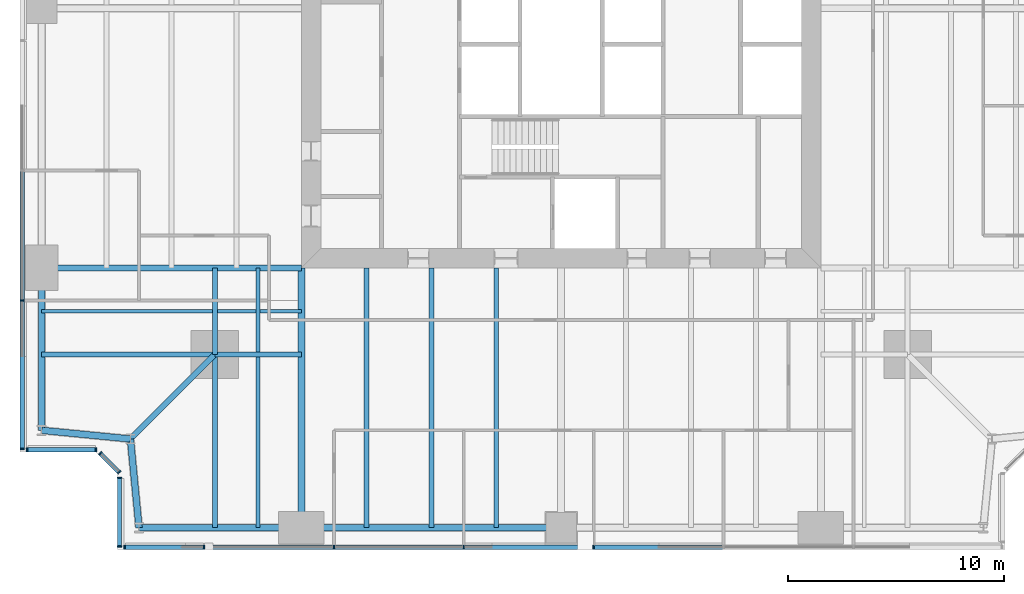
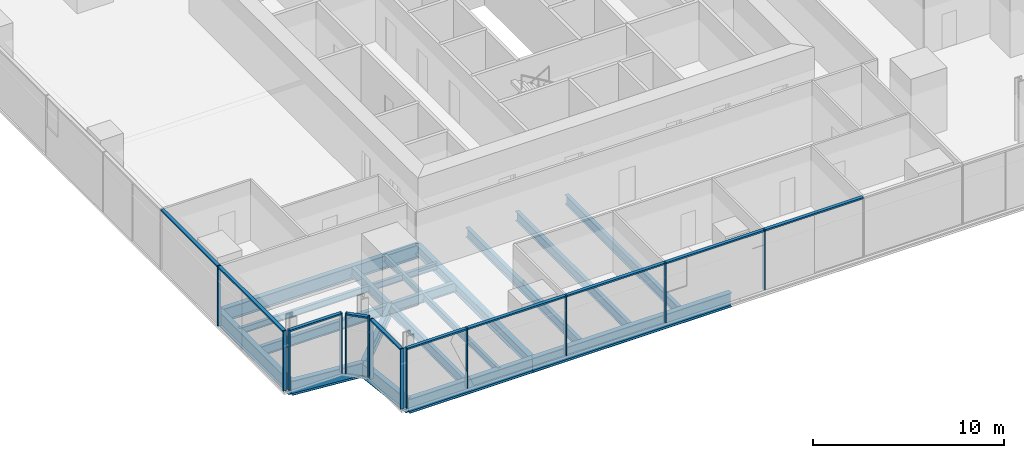
# One storey, part 2 of 13: 23 members, 20 beams, 5 elements without a shape of their own.
"""IFC4 building model written with IfcOpenShell, lengths in metres."""

from ifc_helpers import new_model, si_unit, direction, frame, origin, origin_2d, place, context, subcontext, project, spatial, rectangle, i_section, extrude, material, material_profile, profile_set, type_object, element, aggregate, save


model = new_model("IFC4")

# Units and contexts
model_context = context("Model", 3, precision=1e-05, world=origin(), true_north=direction((0.0, 1.0)))
body_context = subcontext(model_context, "Body", "Model", "MODEL_VIEW")
ifc_project = project(units=[si_unit("LENGTHUNIT", "METRE"), si_unit("AREAUNIT", "SQUARE_METRE"), si_unit("VOLUMEUNIT", "CUBIC_METRE"), si_unit("PLANEANGLEUNIT", "RADIAN"), si_unit("MASSUNIT", "GRAM", prefix="KILO")], contexts=[model_context])

# Site, building, storey
site_placement = place(None, origin())
site = spatial("IfcSite", under=ifc_project, at=site_placement, CompositionType="ELEMENT")
building_placement = place(site_placement, origin())
building = spatial("IfcBuilding", under=site, at=building_placement, Name="Fenwick Lantern Interchange", CompositionType="ELEMENT")
storey_placement = place(building_placement, frame((0.0, 0.0, 110.39990234375)))
storey = spatial("IfcBuildingStorey", under=building, at=storey_placement, Name="L25", CompositionType="ELEMENT", Elevation=110.39990234375)

# Beams
ifc_material_1 = material(Name="Steel ASTM A992 Grade 50", Category="steel")
ifc_material_profile_1 = material_profile(ifc_material_1, i_section(OverallWidth=0.3046875, OverallDepth=0.911865234375, WebThickness=0.015869140625, FlangeThickness=0.02392578125, at=origin_2d()), Name="W36X150")
ifc_profile_set_1 = profile_set([ifc_material_profile_1], Name="Steel ASTM A992 Grade 50")
beam_type_1 = type_object("IfcBeamType", Name="EDGE BEAM W36X150", PredefinedType="SPANDREL", material=ifc_profile_set_1)
beam_1_placement = place(storey_placement, frame((5.5, 1.0, -0.605712890625), z_axis=(1.0, 0.0, 0.0), x_axis=(0.0, 1.0, 0.0)))
element("IfcBeam", 1, at=beam_1_placement, inside=storey, type_object=beam_type_1, Name="L25/FR/S/EB1", PredefinedType="SPANDREL", context=body_context, shape_type="SweptSolid", body=[
    extrude(i_section(OverallWidth=0.3046875, OverallDepth=0.911865234375, WebThickness=0.015869140625, FlangeThickness=0.02392578125, at=origin_2d()), origin(), (0.0, 0.0, 1.0), 7.5),
])
beam_2_placement = place(storey_placement, frame((13.0, 1.0, -0.605712890625), z_axis=(1.0, 0.0, 0.0), x_axis=(0.0, 1.0, 0.0)))
element("IfcBeam", 2, at=beam_2_placement, inside=storey, type_object=beam_type_1, Name="L25/FR/S/EB2", PredefinedType="SPANDREL", context=body_context, shape_type="SweptSolid", body=[
    extrude(i_section(OverallWidth=0.3046875, OverallDepth=0.911865234375, WebThickness=0.015869140625, FlangeThickness=0.02392578125, at=origin_2d()), origin(), (0.0, 0.0, 1.0), 12.0),
])
beam_3_placement = place(storey_placement, frame((1.0, 13.0, -0.605712890625), z_axis=(0.0, -1.0, 0.0), x_axis=(1.0, 0.0, 0.0)))
element("IfcBeam", 3, at=beam_3_placement, inside=storey, type_object=beam_type_1, Name="L25/FR/W/EB4", PredefinedType="SPANDREL", context=body_context, shape_type="SweptSolid", body=[
    extrude(i_section(OverallWidth=0.3046875, OverallDepth=0.911865234375, WebThickness=0.015869140625, FlangeThickness=0.02392578125, at=origin_2d()), origin(), (0.0, 0.0, 1.0), 7.5),
])
for number, where, z_axis, x_axis, name in (
    (4, (1.0, 5.5, -0.605712890625), (0.995277148028, -0.097074191287, 0.0), (0.097074191287, 0.995277148028, 0.0), "L25/FR/W/EBR1"),
    (5, (5.10009765625, 5.10009765625, -0.605712890625), (0.097074191287, -0.995277148028, 0.0), (0.995277148028, 0.097074191287, 0.0), "L25/FR/W/EBR2"),
):
    element("IfcBeam", number, at=place(storey_placement, frame(where, z_axis=z_axis, x_axis=x_axis)), inside=storey, type_object=beam_type_1, Name=name, PredefinedType="SPANDREL", context=body_context, shape_type="SweptSolid", body=[
        extrude(i_section(OverallWidth=0.3046875, OverallDepth=0.911865234375, WebThickness=0.015869140625, FlangeThickness=0.02392578125, at=origin_2d()), origin(), (0.0, 0.0, 1.0), 4.11962890625),
    ])
ifc_material_profile_2 = material_profile(ifc_material_1, i_section(OverallWidth=0.22900390625, OverallDepth=0.612060546875, WebThickness=0.011962890625, FlangeThickness=0.01953125, at=origin_2d()), Name="W24X84")
ifc_profile_set_2 = profile_set([ifc_material_profile_2], Name="Steel ASTM A992 Grade 50")
beam_type_2 = type_object("IfcBeamType", Name="FLOOR BEAM W24X84", PredefinedType="BEAM", material=ifc_profile_set_2)
for number, where, z_axis, x_axis, name in (
    (6, (16.0, 1.0, -0.4560546875), (0.0, 1.0, 0.0), (-1.0, 0.0, 0.0), "L25/FR/S/R02"),
    (7, (19.0, 1.0, -0.4560546875), (0.0, 1.0, 0.0), (-1.0, 0.0, 0.0), "L25/FR/S/R03"),
    (8, (22.0, 1.0, -0.4560546875), (0.0, 1.0, 0.0), (-1.0, 0.0, 0.0), "L25/FR/S/R04"),
):
    element("IfcBeam", number, at=place(storey_placement, frame(where, z_axis=z_axis, x_axis=x_axis)), inside=storey, type_object=beam_type_2, Name=name, PredefinedType="BEAM", context=body_context, shape_type="SweptSolid", body=[
        extrude(i_section(OverallWidth=0.22900390625, OverallDepth=0.612060546875, WebThickness=0.011962890625, FlangeThickness=0.01953125, at=origin_2d()), origin(), (0.0, 0.0, 1.0), 12.0),
    ])
ifc_material_profile_3 = material_profile(ifc_material_1, i_section(OverallWidth=0.177734375, OverallDepth=0.406494140625, WebThickness=0.0078125, FlangeThickness=0.012939453125, at=origin_2d()), Name="W16X40")
ifc_profile_set_3 = profile_set([ifc_material_profile_3], Name="Steel ASTM A992 Grade 50")
beam_type_3 = type_object("IfcBeamType", Name="INFILL BEAM W16X40", PredefinedType="JOIST", material=ifc_profile_set_3)
beam_4_placement = place(storey_placement, frame((11.0, 1.0, -0.35302734375), z_axis=(0.0, 1.0, 0.0), x_axis=(-1.0, 0.0, 0.0)))
element("IfcBeam", 9, at=beam_4_placement, inside=storey, type_object=beam_type_3, Name="L25/FR/S/J1", PredefinedType="JOIST", context=body_context, shape_type="SweptSolid", body=[
    extrude(i_section(OverallWidth=0.177734375, OverallDepth=0.406494140625, WebThickness=0.0078125, FlangeThickness=0.012939453125, at=origin_2d()), origin(), (0.0, 0.0, 1.0), 7.885498046875),
])
beam_5_placement = place(storey_placement, frame((11.0, 9.114501953125, -0.35302734375), z_axis=(0.0, 1.0, 0.0), x_axis=(-1.0, 0.0, 0.0)))
element("IfcBeam", 10, at=beam_5_placement, inside=storey, type_object=beam_type_3, Name="L25/FR/S/J2", PredefinedType="JOIST", context=body_context, shape_type="SweptSolid", body=[
    extrude(i_section(OverallWidth=0.177734375, OverallDepth=0.406494140625, WebThickness=0.0078125, FlangeThickness=0.012939453125, at=origin_2d()), origin(), (0.0, 0.0, 1.0), 3.885498046875),
])
beam_6_placement = place(storey_placement, frame((1.0, 11.0, -0.35302734375), z_axis=(1.0, 0.0, 0.0), x_axis=(0.0, 1.0, 0.0)))
element("IfcBeam", 11, at=beam_6_placement, inside=storey, type_object=beam_type_3, Name="L25/FR/S/J3", PredefinedType="JOIST", context=body_context, shape_type="SweptSolid", body=[
    extrude(i_section(OverallWidth=0.177734375, OverallDepth=0.406494140625, WebThickness=0.0078125, FlangeThickness=0.012939453125, at=origin_2d()), origin(), (0.0, 0.0, 1.0), 7.885498046875),
])
beam_7_placement = place(storey_placement, frame((9.114501953125, 11.0, -0.35302734375), z_axis=(1.0, 0.0, 0.0), x_axis=(0.0, 1.0, 0.0)))
element("IfcBeam", 12, at=beam_7_placement, inside=storey, type_object=beam_type_3, Name="L25/FR/S/J4", PredefinedType="JOIST", context=body_context, shape_type="SweptSolid", body=[
    extrude(i_section(OverallWidth=0.177734375, OverallDepth=0.406494140625, WebThickness=0.0078125, FlangeThickness=0.012939453125, at=origin_2d()), origin(), (0.0, 0.0, 1.0), 1.796630859375),
])
beam_8_placement = place(storey_placement, frame((11.0888671875, 11.0, -0.35302734375), z_axis=(1.0, 0.0, 0.0), x_axis=(0.0, 1.0, 0.0)))
element("IfcBeam", 13, at=beam_8_placement, inside=storey, type_object=beam_type_3, Name="L25/FR/S/J5", PredefinedType="JOIST", context=body_context, shape_type="SweptSolid", body=[
    extrude(i_section(OverallWidth=0.177734375, OverallDepth=0.406494140625, WebThickness=0.0078125, FlangeThickness=0.012939453125, at=origin_2d()), origin(), (0.0, 0.0, 1.0), 1.9111328125),
])
ifc_material_profile_4 = material_profile(ifc_material_1, i_section(OverallWidth=0.22900390625, OverallDepth=0.612060546875, WebThickness=0.011962890625, FlangeThickness=0.01953125, at=origin_2d()), Name="W24X84")
ifc_profile_set_4 = profile_set([ifc_material_profile_4], Name="Steel ASTM A992 Grade 50")
beam_type_4 = type_object("IfcBeamType", Name="MEGA COLUMN BEAM W24X84", PredefinedType="BEAM", material=ifc_profile_set_4)
for number, where, z_axis, x_axis, name in (
    (14, (9.0, 9.0, -0.4560546875), (0.0, -1.0, 0.0), (1.0, 0.0, 0.0), "L25/FR/S/MB1"),
    (15, (9.0, 9.0, -0.4560546875), (-1.0, 0.0, 0.0), (0.0, -1.0, 0.0), "L25/FR/S/MB2"),
):
    element("IfcBeam", number, at=place(storey_placement, frame(where, z_axis=z_axis, x_axis=x_axis)), inside=storey, type_object=beam_type_4, Name=name, PredefinedType="BEAM", context=body_context, shape_type="SweptSolid", body=[
        extrude(i_section(OverallWidth=0.22900390625, OverallDepth=0.612060546875, WebThickness=0.011962890625, FlangeThickness=0.01953125, at=origin_2d()), origin(), (0.0, 0.0, 1.0), 8.0),
    ])
for number, where, z_axis, x_axis, name in (
    (16, (9.0, 9.0, -0.4560546875), (1.0, 0.0, 0.0), (0.0, 1.0, 0.0), "L25/FR/S/MB3"),
    (17, (9.0, 9.0, -0.4560546875), (0.0, 1.0, 0.0), (-1.0, 0.0, 0.0), "L25/FR/S/MB4"),
):
    element("IfcBeam", number, at=place(storey_placement, frame(where, z_axis=z_axis, x_axis=x_axis)), inside=storey, type_object=beam_type_4, Name=name, PredefinedType="BEAM", context=body_context, shape_type="SweptSolid", body=[
        extrude(i_section(OverallWidth=0.22900390625, OverallDepth=0.612060546875, WebThickness=0.011962890625, FlangeThickness=0.01953125, at=origin_2d()), origin(), (0.0, 0.0, 1.0), 4.0),
    ])
ifc_material_profile_5 = material_profile(ifc_material_1, i_section(OverallWidth=0.32763671875, OverallDepth=0.622314453125, WebThickness=0.015380859375, FlangeThickness=0.0244140625, at=origin_2d()), Name="W24X131")
ifc_profile_set_5 = profile_set([ifc_material_profile_5], Name="Steel ASTM A992 Grade 50")
beam_type_5 = type_object("IfcBeamType", Name="MOMENT-CONNECTED GIRDER W24X131", PredefinedType="BEAM", material=ifc_profile_set_5)
beam_9_placement = place(storey_placement, frame((13.0, 1.0, -0.4609375), z_axis=(0.0, 1.0, 0.0), x_axis=(-1.0, 0.0, 0.0)))
element("IfcBeam", 18, at=beam_9_placement, inside=storey, type_object=beam_type_5, Name="L25/FR/S/R01", PredefinedType="BEAM", context=body_context, shape_type="SweptSolid", body=[
    extrude(i_section(OverallWidth=0.32763671875, OverallDepth=0.622314453125, WebThickness=0.015380859375, FlangeThickness=0.0244140625, at=origin_2d()), origin(), (0.0, 0.0, 1.0), 12.0),
])
ifc_material_profile_6 = material_profile(ifc_material_1, i_section(OverallWidth=0.2919921875, OverallDepth=0.845703125, WebThickness=0.015380859375, FlangeThickness=0.0244140625, at=origin_2d()), Name="W33X141")
ifc_profile_set_6 = profile_set([ifc_material_profile_6], Name="Steel ASTM A992 Grade 50")
beam_type_6 = type_object("IfcBeamType", Name="MOMENT-CONNECTED GIRDER W33X141", PredefinedType="BEAM", material=ifc_profile_set_6)
beam_10_placement = place(storey_placement, frame((1.0, 13.0, -0.57275390625), z_axis=(1.0, 0.0, 0.0), x_axis=(0.0, 1.0, 0.0)))
element("IfcBeam", 19, at=beam_10_placement, inside=storey, type_object=beam_type_6, Name="L25/FR/W/R03", PredefinedType="BEAM", context=body_context, shape_type="SweptSolid", body=[
    extrude(i_section(OverallWidth=0.2919921875, OverallDepth=0.845703125, WebThickness=0.015380859375, FlangeThickness=0.0244140625, at=origin_2d()), origin(), (0.0, 0.0, 1.0), 12.0),
])
ifc_material_profile_7 = material_profile(ifc_material_1, i_section(OverallWidth=0.2666015625, OverallDepth=0.7568359375, WebThickness=0.013916015625, FlangeThickness=0.019287109375, at=origin_2d()), Name="W30X108")
ifc_profile_set_7 = profile_set([ifc_material_profile_7], Name="Steel ASTM A992 Grade 50")
beam_type_7 = type_object("IfcBeamType", Name="NOTCH BEAM W30X108", PredefinedType="BEAM", material=ifc_profile_set_7)
beam_11_placement = place(storey_placement, frame((9.0, 9.0, -0.5283203125), z_axis=(-0.707106781187, -0.707106781187, 0.0), x_axis=(0.707106781187, -0.707106781187, 0.0)))
element("IfcBeam", 20, at=beam_11_placement, inside=storey, type_object=beam_type_7, Name="L25/FR/S/TG", PredefinedType="BEAM", context=body_context, shape_type="SweptSolid", body=[
    extrude(i_section(OverallWidth=0.2666015625, OverallDepth=0.7568359375, WebThickness=0.013916015625, FlangeThickness=0.019287109375, at=origin_2d()), origin(), (0.0, 0.0, 1.0), 5.515380859375),
])

# Curtain wall, members
ifc_material_2 = material(Name="Aluminium curtain wall frame", Category="aluminium")
curtain_wall_type = type_object("IfcCurtainWallType", Name="OFFICE CURTAIN WALL", PredefinedType="USERDEFINED", material=ifc_material_2)
curtain_wall_1_placement = place(storey_placement, origin())
curtain_wall_1 = element("IfcCurtainWall", 21, at=curtain_wall_1_placement, inside=storey, type_object=curtain_wall_type, Name="Office curtain wall 01", ObjectType="OFFICE CURTAIN WALL", PredefinedType="USERDEFINED")
ifc_material_3 = material(Name="Aluminium extrusion", Category="aluminium")
ifc_material_profile_8 = material_profile(ifc_material_3, rectangle(XDim=0.199951171875, YDim=0.06494140625, at=origin_2d()), Name="OFFICE CURTAIN WALL MULLION 65 X 200")
ifc_profile_set_8 = profile_set([ifc_material_profile_8], Name="Aluminium extrusion")
member_type_1 = type_object("IfcMemberType", Name="OFFICE CURTAIN WALL MULLION 65 X 200", PredefinedType="MULLION", material=ifc_profile_set_8)
member_1_placement = place(storey_placement, frame((4.83251953125, 0.10009765625, 0.0), z_axis=(0.0, 0.0, 1.0), x_axis=(0.0, 1.0, 0.0)))
member_1 = element("IfcMember", 22, at=member_1_placement, type_object=member_type_1, Name="L25/CW/01/M00", PredefinedType="MULLION", context=body_context, shape_type="SweptSolid", body=[
    extrude(rectangle(XDim=0.199951171875, YDim=0.06494140625, at=origin_2d()), origin(), (0.0, 0.0, 1.0), 3.85009765625),
])
member_2_placement = place(storey_placement, frame((8.5, 0.10009765625, 0.0), z_axis=(0.0, 0.0, 1.0), x_axis=(0.0, 1.0, 0.0)))
member_2 = element("IfcMember", 23, at=member_2_placement, type_object=member_type_1, Name="L25/CW/01/M01", PredefinedType="MULLION", context=body_context, shape_type="SweptSolid", body=[
    extrude(rectangle(XDim=0.199951171875, YDim=0.06494140625, at=origin_2d()), origin(), (0.0, 0.0, 1.0), 3.85009765625),
])
member_3_placement = place(storey_placement, frame((14.5, 0.10009765625, 0.0), z_axis=(0.0, 0.0, 1.0), x_axis=(0.0, 1.0, 0.0)))
member_3 = element("IfcMember", 24, at=member_3_placement, type_object=member_type_1, Name="L25/CW/01/M02", PredefinedType="MULLION", context=body_context, shape_type="SweptSolid", body=[
    extrude(rectangle(XDim=0.199951171875, YDim=0.06494140625, at=origin_2d()), origin(), (0.0, 0.0, 1.0), 3.85009765625),
])
member_4_placement = place(storey_placement, frame((20.5, 0.10009765625, 0.0), z_axis=(0.0, 0.0, 1.0), x_axis=(0.0, 1.0, 0.0)))
member_4 = element("IfcMember", 25, at=member_4_placement, type_object=member_type_1, Name="L25/CW/01/M03", PredefinedType="MULLION", context=body_context, shape_type="SweptSolid", body=[
    extrude(rectangle(XDim=0.199951171875, YDim=0.06494140625, at=origin_2d()), origin(), (0.0, 0.0, 1.0), 3.85009765625),
])
member_5_placement = place(storey_placement, frame((26.5, 0.10009765625, 0.0), z_axis=(0.0, 0.0, 1.0), x_axis=(0.0, 1.0, 0.0)))
member_5 = element("IfcMember", 26, at=member_5_placement, type_object=member_type_1, Name="L25/CW/01/M04", PredefinedType="MULLION", context=body_context, shape_type="SweptSolid", body=[
    extrude(rectangle(XDim=0.199951171875, YDim=0.06494140625, at=origin_2d()), origin(), (0.0, 0.0, 1.0), 3.85009765625),
])

curtain_wall_2_placement = place(storey_placement, origin())
curtain_wall_2 = element("IfcCurtainWall", 27, at=curtain_wall_2_placement, inside=storey, type_object=curtain_wall_type, Name="Office curtain wall 13", ObjectType="OFFICE CURTAIN WALL", PredefinedType="USERDEFINED")
member_6_placement = place(storey_placement, frame((0.10009765625, 11.5, 0.0), z_axis=(0.0, 0.0, 1.0), x_axis=(1.0, 0.0, 0.0)))
member_6 = element("IfcMember", 28, at=member_6_placement, type_object=member_type_1, Name="L25/CW/13/M06", PredefinedType="MULLION", context=body_context, shape_type="SweptSolid", body=[
    extrude(rectangle(XDim=0.199951171875, YDim=0.06494140625, at=origin_2d()), origin(), (0.0, 0.0, 1.0), 3.85009765625),
])
member_7_placement = place(storey_placement, frame((0.10009765625, 4.632568359375, 0.0), z_axis=(0.0, 0.0, 1.0), x_axis=(1.0, 0.0, 0.0)))
member_7 = element("IfcMember", 29, at=member_7_placement, type_object=member_type_1, Name="L25/CW/13/M07", PredefinedType="MULLION", context=body_context, shape_type="SweptSolid", body=[
    extrude(rectangle(XDim=0.199951171875, YDim=0.06494140625, at=origin_2d()), origin(), (0.0, 0.0, 1.0), 3.85009765625),
])

curtain_wall_3_placement = place(storey_placement, origin())
curtain_wall_3 = element("IfcCurtainWall", 30, at=curtain_wall_3_placement, inside=storey, type_object=curtain_wall_type, Name="Office curtain wall 14", ObjectType="OFFICE CURTAIN WALL", PredefinedType="USERDEFINED")
member_8_placement = place(storey_placement, frame((0.33251953125, 4.60009765625, 0.0), z_axis=(0.0, 0.0, 1.0), x_axis=(0.0, 1.0, 0.0)))
member_8 = element("IfcMember", 31, at=member_8_placement, type_object=member_type_1, Name="L25/CW/14/M00", PredefinedType="MULLION", context=body_context, shape_type="SweptSolid", body=[
    extrude(rectangle(XDim=0.199951171875, YDim=0.06494140625, at=origin_2d()), origin(), (0.0, 0.0, 1.0), 3.85009765625),
])
member_9_placement = place(storey_placement, frame((3.509033203125, 4.60009765625, 0.0), z_axis=(0.0, 0.0, 1.0), x_axis=(0.0, 1.0, 0.0)))
member_9 = element("IfcMember", 32, at=member_9_placement, type_object=member_type_1, Name="L25/CW/14/M01", PredefinedType="MULLION", context=body_context, shape_type="SweptSolid", body=[
    extrude(rectangle(XDim=0.199951171875, YDim=0.06494140625, at=origin_2d()), origin(), (0.0, 0.0, 1.0), 3.85009765625),
])

curtain_wall_4_placement = place(storey_placement, origin())
curtain_wall_4 = element("IfcCurtainWall", 33, at=curtain_wall_4_placement, inside=storey, type_object=curtain_wall_type, Name="Office curtain wall 15", ObjectType="OFFICE CURTAIN WALL", PredefinedType="USERDEFINED")
member_10_placement = place(storey_placement, frame((3.705810546875, 4.435546875, 0.0), z_axis=(0.0, 0.0, 1.0), x_axis=(0.707106781187, 0.707106781187, 0.0)))
member_10 = element("IfcMember", 34, at=member_10_placement, type_object=member_type_1, Name="L25/CW/15/M00", PredefinedType="MULLION", context=body_context, shape_type="SweptSolid", body=[
    extrude(rectangle(XDim=0.199951171875, YDim=0.06494140625, at=origin_2d()), origin(), (0.0, 0.0, 1.0), 3.85009765625),
])
member_11_placement = place(storey_placement, frame((4.576904296875, 3.564453125, 0.0), z_axis=(0.0, 0.0, 1.0), x_axis=(0.707106781187, 0.707106781187, 0.0)))
member_11 = element("IfcMember", 35, at=member_11_placement, type_object=member_type_1, Name="L25/CW/15/M01", PredefinedType="MULLION", context=body_context, shape_type="SweptSolid", body=[
    extrude(rectangle(XDim=0.199951171875, YDim=0.06494140625, at=origin_2d()), origin(), (0.0, 0.0, 1.0), 3.85009765625),
])

curtain_wall_5_placement = place(storey_placement, origin())
curtain_wall_5 = element("IfcCurtainWall", 36, at=curtain_wall_5_placement, inside=storey, type_object=curtain_wall_type, Name="Office curtain wall 16", ObjectType="OFFICE CURTAIN WALL", PredefinedType="USERDEFINED")
member_12_placement = place(storey_placement, frame((4.60009765625, 3.308837890625, 0.0), z_axis=(0.0, 0.0, 1.0), x_axis=(1.0, 0.0, 0.0)))
member_12 = element("IfcMember", 37, at=member_12_placement, type_object=member_type_1, Name="L25/CW/16/M00", PredefinedType="MULLION", context=body_context, shape_type="SweptSolid", body=[
    extrude(rectangle(XDim=0.199951171875, YDim=0.06494140625, at=origin_2d()), origin(), (0.0, 0.0, 1.0), 3.85009765625),
])
member_13_placement = place(storey_placement, frame((4.60009765625, 0.132568359375, 0.0), z_axis=(0.0, 0.0, 1.0), x_axis=(1.0, 0.0, 0.0)))
member_13 = element("IfcMember", 38, at=member_13_placement, type_object=member_type_1, Name="L25/CW/16/M01", PredefinedType="MULLION", context=body_context, shape_type="SweptSolid", body=[
    extrude(rectangle(XDim=0.199951171875, YDim=0.06494140625, at=origin_2d()), origin(), (0.0, 0.0, 1.0), 3.85009765625),
])

# Member
ifc_material_profile_9 = material_profile(ifc_material_3, rectangle(XDim=0.199951171875, YDim=0.10009765625, at=origin_2d()), Name="OFFICE CURTAIN WALL TRANSOM 100 X 200")
ifc_profile_set_9 = profile_set([ifc_material_profile_9], Name="Aluminium extrusion")
member_type_2 = type_object("IfcMemberType", Name="OFFICE CURTAIN WALL TRANSOM 100 X 200", PredefinedType="MULLION", material=ifc_profile_set_9)
member_14_placement = place(storey_placement, frame((4.864990234375, 0.10009765625, 3.800048828125), z_axis=(1.0, 0.0, 0.0), x_axis=(0.0, 1.0, 0.0)))
member_14 = element("IfcMember", 39, at=member_14_placement, type_object=member_type_2, Name="L25/CW/01/T00", PredefinedType="MULLION", context=body_context, shape_type="SweptSolid", body=[
    extrude(rectangle(XDim=0.199951171875, YDim=0.10009765625, at=origin_2d()), origin(), (0.0, 0.0, 1.0), 3.6025390625),
])

member_15_placement = place(storey_placement, frame((8.532470703125, 0.10009765625, 3.800048828125), z_axis=(1.0, 0.0, 0.0), x_axis=(0.0, 1.0, 0.0)))
member_15 = element("IfcMember", 40, at=member_15_placement, type_object=member_type_2, Name="L25/CW/01/T01", PredefinedType="MULLION", context=body_context, shape_type="SweptSolid", body=[
    extrude(rectangle(XDim=0.199951171875, YDim=0.10009765625, at=origin_2d()), origin(), (0.0, 0.0, 1.0), 5.93505859375),
])

member_16_placement = place(storey_placement, frame((14.532470703125, 0.10009765625, 3.800048828125), z_axis=(1.0, 0.0, 0.0), x_axis=(0.0, 1.0, 0.0)))
member_16 = element("IfcMember", 41, at=member_16_placement, type_object=member_type_2, Name="L25/CW/01/T02", PredefinedType="MULLION", context=body_context, shape_type="SweptSolid", body=[
    extrude(rectangle(XDim=0.199951171875, YDim=0.10009765625, at=origin_2d()), origin(), (0.0, 0.0, 1.0), 5.93505859375),
])

member_17_placement = place(storey_placement, frame((20.532470703125, 0.10009765625, 3.800048828125), z_axis=(1.0, 0.0, 0.0), x_axis=(0.0, 1.0, 0.0)))
member_17 = element("IfcMember", 42, at=member_17_placement, type_object=member_type_2, Name="L25/CW/01/T03", PredefinedType="MULLION", context=body_context, shape_type="SweptSolid", body=[
    extrude(rectangle(XDim=0.199951171875, YDim=0.10009765625, at=origin_2d()), origin(), (0.0, 0.0, 1.0), 5.93505859375),
])

member_18_placement = place(storey_placement, frame((26.532470703125, 0.10009765625, 3.800048828125), z_axis=(1.0, 0.0, 0.0), x_axis=(0.0, 1.0, 0.0)))
member_18 = element("IfcMember", 43, at=member_18_placement, type_object=member_type_2, Name="L25/CW/01/T04", PredefinedType="MULLION", context=body_context, shape_type="SweptSolid", body=[
    extrude(rectangle(XDim=0.199951171875, YDim=0.10009765625, at=origin_2d()), origin(), (0.0, 0.0, 1.0), 5.93505859375),
])

aggregate(curtain_wall_1, [member_1, member_2, member_3, member_4, member_5, member_14, member_15, member_16, member_17, member_18])

member_19_placement = place(storey_placement, frame((0.10009765625, 17.467529296875, 3.800048828125), z_axis=(0.0, -1.0, 0.0), x_axis=(1.0, 0.0, 0.0)))
member_19 = element("IfcMember", 44, at=member_19_placement, type_object=member_type_2, Name="L25/CW/13/T05", PredefinedType="MULLION", context=body_context, shape_type="SweptSolid", body=[
    extrude(rectangle(XDim=0.199951171875, YDim=0.10009765625, at=origin_2d()), origin(), (0.0, 0.0, 1.0), 5.93505859375),
])

member_20_placement = place(storey_placement, frame((0.10009765625, 11.467529296875, 3.800048828125), z_axis=(0.0, -1.0, 0.0), x_axis=(1.0, 0.0, 0.0)))
member_20 = element("IfcMember", 45, at=member_20_placement, type_object=member_type_2, Name="L25/CW/13/T06", PredefinedType="MULLION", context=body_context, shape_type="SweptSolid", body=[
    extrude(rectangle(XDim=0.199951171875, YDim=0.10009765625, at=origin_2d()), origin(), (0.0, 0.0, 1.0), 6.802490234375),
])

aggregate(curtain_wall_2, [member_6, member_7, member_19, member_20])

member_21_placement = place(storey_placement, frame((0.364990234375, 4.60009765625, 3.800048828125), z_axis=(1.0, 0.0, 0.0), x_axis=(0.0, 1.0, 0.0)))
member_21 = element("IfcMember", 46, at=member_21_placement, type_object=member_type_2, Name="L25/CW/14/T00", PredefinedType="MULLION", context=body_context, shape_type="SweptSolid", body=[
    extrude(rectangle(XDim=0.199951171875, YDim=0.10009765625, at=origin_2d()), origin(), (0.0, 0.0, 1.0), 3.111328125),
])

aggregate(curtain_wall_3, [member_8, member_9, member_21])

member_22_placement = place(storey_placement, frame((3.728759765625, 4.41259765625, 3.800048828125), z_axis=(0.707106781187, -0.707106781187, 0.0), x_axis=(0.707106781187, 0.707106781187, 0.0)))
member_22 = element("IfcMember", 47, at=member_22_placement, type_object=member_type_2, Name="L25/CW/15/T00", PredefinedType="MULLION", context=body_context, shape_type="SweptSolid", body=[
    extrude(rectangle(XDim=0.199951171875, YDim=0.10009765625, at=origin_2d()), origin(), (0.0, 0.0, 1.0), 1.1669921875),
])

aggregate(curtain_wall_4, [member_10, member_11, member_22])

member_23_placement = place(storey_placement, frame((4.60009765625, 3.2763671875, 3.800048828125), z_axis=(0.0, -1.0, 0.0), x_axis=(1.0, 0.0, 0.0)))
member_23 = element("IfcMember", 48, at=member_23_placement, type_object=member_type_2, Name="L25/CW/16/T00", PredefinedType="MULLION", context=body_context, shape_type="SweptSolid", body=[
    extrude(rectangle(XDim=0.199951171875, YDim=0.10009765625, at=origin_2d()), origin(), (0.0, 0.0, 1.0), 3.111328125),
])

aggregate(curtain_wall_5, [member_12, member_13, member_23])

save(model, "model.ifc")
